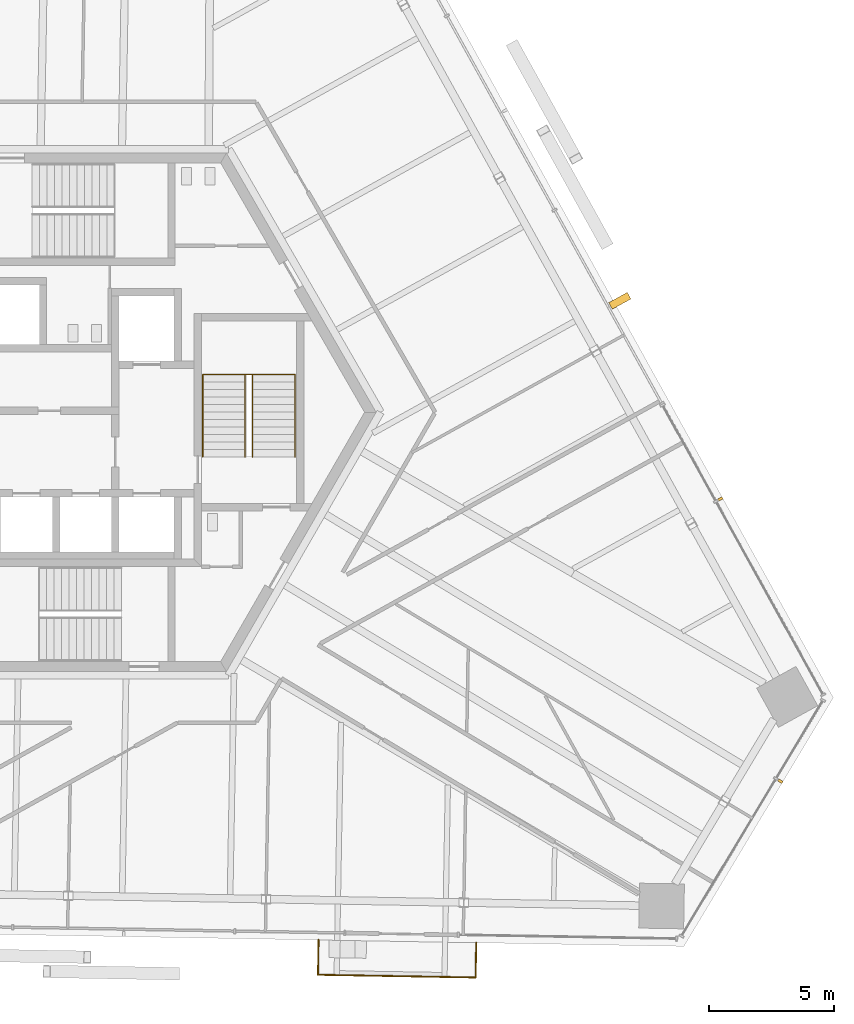
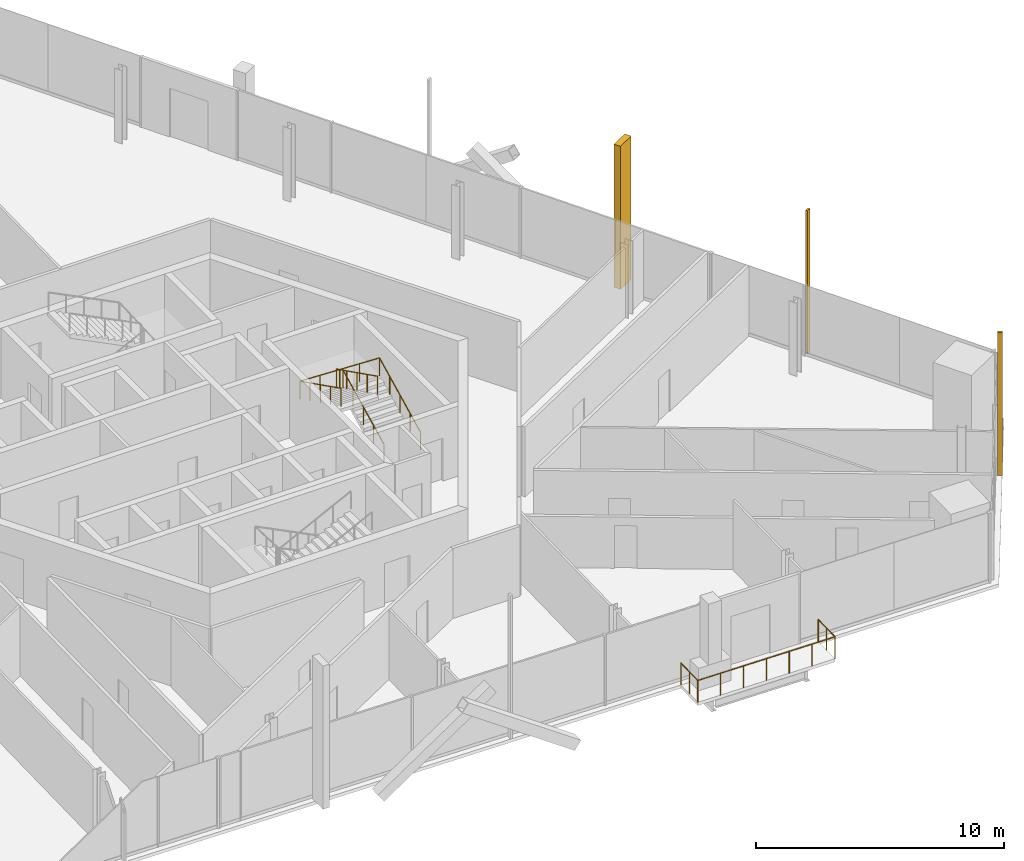
# One storey, part 16 of 20: 3 railings, 3 shading devices.
"""IFC4 building model written with IfcOpenShell, lengths in metres."""

from ifc_helpers import new_model, si_unit, direction, frame, origin, origin_2d, place, context, subcontext, project, spatial, rectangle, circle, extrude, source, transform, mapped, material, type_object, element, save


model = new_model("IFC4")

# Units and contexts
model_context = context("Model", 3, precision=1e-05, world=origin(), true_north=direction((0.0, 1.0)))
body_context = subcontext(model_context, "Body", "Model", "MODEL_VIEW")
ifc_project = project(units=[si_unit("LENGTHUNIT", "METRE"), si_unit("AREAUNIT", "SQUARE_METRE"), si_unit("VOLUMEUNIT", "CUBIC_METRE"), si_unit("PLANEANGLEUNIT", "RADIAN"), si_unit("MASSUNIT", "GRAM", prefix="KILO")], contexts=[model_context])

# Site, building, storey
site_placement = place(None, origin())
site = spatial("IfcSite", under=ifc_project, at=site_placement, CompositionType="ELEMENT")
building_placement = place(site_placement, origin())
building = spatial("IfcBuilding", under=site, at=building_placement, Name="Triune Harvest Tower", CompositionType="ELEMENT")
storey_placement = place(building_placement, frame((0.0, 0.0, 194.300048828125)))
storey = spatial("IfcBuildingStorey", under=building, at=storey_placement, Name="L50", CompositionType="ELEMENT", Elevation=194.300048828125)

# Railings
ifc_material_1 = material(Name="Stainless steel AISI 316", Category="steel")
railing_type_1 = type_object("IfcRailingType", Name="Stair handrail", PredefinedType="HANDRAIL", material=ifc_material_1)
shared_shape_1 = source(origin(), body_context, "Body", "SweptSolid", [
    extrude(circle(Radius=0.02392578125, at=origin_2d()), frame((0.0, 0.0, 0.8759765625), z_axis=(0.0, 0.894413956696, 0.447240063129), x_axis=(-1.0, 0.0, 0.0)), (0.0, 0.0, 1.0), 3.689697265625),
    extrude(circle(Radius=0.02392578125, at=origin_2d()), frame((0.0, 3.300048828125, 2.52587890625), z_axis=(-0.999180289278, 0.0, 0.040481471304), x_axis=(0.0, -1.0, 0.0)), (0.0, 0.0, 1.0), 3.702880859375),
    extrude(circle(Radius=0.02392578125, at=origin_2d()), frame((-3.699951171875, 3.300048828125, 2.67578125), z_axis=(0.0, -0.894440424912, 0.447187126696), x_axis=(1.0, 0.0, 0.0)), (0.0, 0.0, 1.0), 3.689453125),
    extrude(circle(Radius=0.02099609375, at=origin_2d()), origin(), (0.0, 0.0, 1.0), 0.851806640625),
    extrude(circle(Radius=0.02099609375, at=origin_2d()), frame((0.0, 0.824951171875, 0.41259765625)), (0.0, 0.0, 1.0), 0.851806640625),
    extrude(circle(Radius=0.02099609375, at=origin_2d()), frame((0.0, 1.64990234375, 0.8251953125)), (0.0, 0.0, 1.0), 0.851806640625),
    extrude(circle(Radius=0.02099609375, at=origin_2d()), frame((0.0, 2.47509765625, 1.237548828125)), (0.0, 0.0, 1.0), 0.851806640625),
    extrude(circle(Radius=0.02099609375, at=origin_2d()), frame((0.0, 3.300048828125, 1.650146484375)), (0.0, 0.0, 1.0), 0.851806640625),
    extrude(circle(Radius=0.02099609375, at=origin_2d()), frame((-0.925048828125, 3.300048828125, 1.6875)), (0.0, 0.0, 1.0), 0.851806640625),
    extrude(circle(Radius=0.02099609375, at=origin_2d()), frame((-1.85009765625, 3.300048828125, 1.72509765625)), (0.0, 0.0, 1.0), 0.851806640625),
    extrude(circle(Radius=0.02099609375, at=origin_2d()), frame((-2.77490234375, 3.300048828125, 1.7626953125)), (0.0, 0.0, 1.0), 0.851806640625),
    extrude(circle(Radius=0.02099609375, at=origin_2d()), frame((-3.699951171875, 3.300048828125, 1.800048828125)), (0.0, 0.0, 1.0), 0.851806640625),
    extrude(circle(Radius=0.02099609375, at=origin_2d()), frame((-3.699951171875, 2.47509765625, 2.21240234375)), (0.0, 0.0, 1.0), 0.851806640625),
    extrude(circle(Radius=0.02099609375, at=origin_2d()), frame((-3.699951171875, 1.64990234375, 2.625)), (0.0, 0.0, 1.0), 0.851806640625),
    extrude(circle(Radius=0.02099609375, at=origin_2d()), frame((-3.699951171875, 0.824951171875, 3.03759765625)), (0.0, 0.0, 1.0), 0.851806640625),
    extrude(circle(Radius=0.02099609375, at=origin_2d()), frame((-3.699951171875, 0.0, 3.449951171875)), (0.0, 0.0, 1.0), 0.851806640625),
])
railing_1_placement = place(storey_placement, frame((8.75, -1.7900390625, 0.14990234375)))
element("IfcRailing", 1, at=railing_1_placement, inside=storey, type_object=railing_type_1, Name="Exit stair east wall handrail", PredefinedType="HANDRAIL", context=body_context, shape_type="MappedRepresentation", body=[
    mapped(shared_shape_1, transform((0.0, 0.0, 0.0), scale=1.0)),
])
shared_shape_2 = source(origin(), body_context, "Body", "SweptSolid", [
    extrude(circle(Radius=0.02392578125, at=origin_2d()), frame((0.0, 0.0, 0.8759765625), z_axis=(0.0, 0.894413956696, 0.447240063129), x_axis=(-1.0, 0.0, 0.0)), (0.0, 0.0, 1.0), 3.689697265625),
    extrude(circle(Radius=0.02392578125, at=origin_2d()), frame((0.0, 3.300048828125, 2.52587890625), z_axis=(-0.894572720946, 0.0, 0.446922417137), x_axis=(0.0, -1.0, 0.0)), (0.0, 0.0, 1.0), 0.33544921875),
    extrude(circle(Radius=0.02392578125, at=origin_2d()), frame((-0.300048828125, 3.300048828125, 2.67578125), z_axis=(0.0, -0.894440424912, 0.447187126696), x_axis=(1.0, 0.0, 0.0)), (0.0, 0.0, 1.0), 3.689453125),
    extrude(circle(Radius=0.02099609375, at=origin_2d()), origin(), (0.0, 0.0, 1.0), 0.851806640625),
    extrude(circle(Radius=0.02099609375, at=origin_2d()), frame((0.0, 0.824951171875, 0.41259765625)), (0.0, 0.0, 1.0), 0.851806640625),
    extrude(circle(Radius=0.02099609375, at=origin_2d()), frame((0.0, 1.64990234375, 0.8251953125)), (0.0, 0.0, 1.0), 0.851806640625),
    extrude(circle(Radius=0.02099609375, at=origin_2d()), frame((0.0, 2.47509765625, 1.237548828125)), (0.0, 0.0, 1.0), 0.851806640625),
    extrude(circle(Radius=0.02099609375, at=origin_2d()), frame((0.0, 3.300048828125, 1.650146484375)), (0.0, 0.0, 1.0), 0.851806640625),
    extrude(circle(Radius=0.02099609375, at=origin_2d()), frame((-0.300048828125, 3.300048828125, 1.800048828125)), (0.0, 0.0, 1.0), 0.851806640625),
    extrude(circle(Radius=0.02099609375, at=origin_2d()), frame((-0.300048828125, 2.47509765625, 2.21240234375)), (0.0, 0.0, 1.0), 0.851806640625),
    extrude(circle(Radius=0.02099609375, at=origin_2d()), frame((-0.300048828125, 1.64990234375, 2.625)), (0.0, 0.0, 1.0), 0.851806640625),
    extrude(circle(Radius=0.02099609375, at=origin_2d()), frame((-0.300048828125, 0.824951171875, 3.03759765625)), (0.0, 0.0, 1.0), 0.851806640625),
    extrude(circle(Radius=0.02099609375, at=origin_2d()), frame((-0.300048828125, 0.0, 3.449951171875)), (0.0, 0.0, 1.0), 0.851806640625),
])
railing_2_placement = place(storey_placement, frame((7.050048828125, -1.7900390625, 0.14990234375)))
element("IfcRailing", 2, at=railing_2_placement, inside=storey, type_object=railing_type_1, Name="Exit stair east centre handrail", PredefinedType="HANDRAIL", context=body_context, shape_type="MappedRepresentation", body=[
    mapped(shared_shape_2, transform((0.0, 0.0, 0.0), scale=1.0)),
])

# Shading devices
ifc_material_2 = material(Name="Aluminium bronze anodised", Category="aluminium")
shared_shape_3 = source(origin(), body_context, "Body", "SweptSolid", [
    extrude(rectangle(XDim=0.10009765625, YDim=0.199951171875, at=origin_2d()), origin(), (0.0, 0.0, 1.0), 7.0400390625),
])
for number, where, z_axis, x_axis, name in (
    (3, (25.795654296875, -3.474365234375, 0.0), (0.0, 0.0, 1.0), (-0.48480848305, 0.874620337497, 0.0), "FN-1 fin B5-F1.3 L50"),
    (4, (28.197998046875, -14.784912109375, 0.0), (0.0, 0.0, 1.0), (0.515036685882, 0.857168135313, 0.0), "FN-1 fin B5-F6.3 L50"),
):
    element("IfcShadingDevice", number, at=place(storey_placement, frame(where, z_axis=z_axis, x_axis=x_axis)), inside=storey, material=ifc_material_2, Name=name, ObjectType="FIN", PredefinedType="USERDEFINED", context=body_context, shape_type="MappedRepresentation", body=[
        mapped(shared_shape_3, transform((0.0, 0.0, 0.0), scale=1.0)),
    ])
shared_shape_4 = source(origin(), body_context, "Body", "SweptSolid", [
    extrude(rectangle(XDim=0.300048828125, YDim=0.85009765625, at=origin_2d()), origin(), (0.0, 0.0, 1.0), 7.0400390625),
])
shading_device_placement = place(storey_placement, frame((21.765625, 4.46630859375, 0.0), z_axis=(0.0, 0.0, 1.0), x_axis=(-0.48480848305, 0.874620337497, 0.0)))
element("IfcShadingDevice", 5, at=shading_device_placement, inside=storey, material=ifc_material_2, Name="FN-2 fin B5-F1.5 L50", ObjectType="FIN", PredefinedType="USERDEFINED", context=body_context, shape_type="MappedRepresentation", body=[
    mapped(shared_shape_4, transform((0.0, 0.0, 0.0), scale=1.0)),
])

# Railing
ifc_material_3 = material(Name="Glass", Category="glass")
railing_type_2 = type_object("IfcRailingType", Name="GD-2 balcony guard 1100", PredefinedType="GUARDRAIL", material=ifc_material_3)
shared_shape_5 = source(origin(), body_context, "Body", "SweptSolid", [
    extrude(circle(Radius=0.02392578125, at=origin_2d()), frame((0.0, 0.0, 1.076171875), z_axis=(-0.017338433724, -0.99984967806, 0.0), x_axis=(0.99984967806, -0.017338433724, 0.0)), (0.0, 0.0, 1.0), 1.39404296875),
    extrude(circle(Radius=0.02392578125, at=origin_2d()), frame((-0.024169921875, -1.393798828125, 1.076171875), z_axis=(0.999848320594, -0.017416538279, 0.0), x_axis=(0.017416538279, 0.999848320594, 0.0)), (0.0, 0.0, 1.0), 6.322021484375),
    extrude(circle(Radius=0.02392578125, at=origin_2d()), frame((6.296875, -1.50390625, 1.076171875), z_axis=(0.017341470377, 0.999849625396, 0.0), x_axis=(-0.999849625396, 0.017341470377, 0.0)), (0.0, 0.0, 1.0), 1.393798828125),
    extrude(circle(Radius=0.02099609375, at=origin_2d()), origin(), (0.0, 0.0, 1.0), 1.052001953125),
    extrude(circle(Radius=0.02099609375, at=origin_2d()), frame((-0.01220703125, -0.69677734375, 0.0)), (0.0, 0.0, 1.0), 1.052001953125),
    extrude(circle(Radius=0.02099609375, at=origin_2d()), frame((-0.024169921875, -1.393798828125, 0.0)), (0.0, 0.0, 1.0), 1.052001953125),
    extrude(circle(Radius=0.02099609375, at=origin_2d()), frame((1.029296875, -1.412109375, 0.0)), (0.0, 0.0, 1.0), 1.052001953125),
    extrude(circle(Radius=0.02099609375, at=origin_2d()), frame((2.082763671875, -1.430419921875, 0.0)), (0.0, 0.0, 1.0), 1.052001953125),
    extrude(circle(Radius=0.02099609375, at=origin_2d()), frame((3.13623046875, -1.44873046875, 0.0)), (0.0, 0.0, 1.0), 1.052001953125),
    extrude(circle(Radius=0.02099609375, at=origin_2d()), frame((4.18994140625, -1.46728515625, 0.0)), (0.0, 0.0, 1.0), 1.052001953125),
    extrude(circle(Radius=0.02099609375, at=origin_2d()), frame((5.243408203125, -1.485595703125, 0.0)), (0.0, 0.0, 1.0), 1.052001953125),
    extrude(circle(Radius=0.02099609375, at=origin_2d()), frame((6.296875, -1.50390625, 0.0)), (0.0, 0.0, 1.0), 1.052001953125),
    extrude(circle(Radius=0.02099609375, at=origin_2d()), frame((6.30908203125, -0.80712890625, 0.0)), (0.0, 0.0, 1.0), 1.052001953125),
    extrude(circle(Radius=0.02099609375, at=origin_2d()), frame((6.321044921875, -0.1103515625, 0.0)), (0.0, 0.0, 1.0), 1.052001953125),
])
railing_3_placement = place(storey_placement, frame((9.692138671875, -21.1494140625, 0.0)))
element("IfcRailing", 6, at=railing_3_placement, inside=storey, type_object=railing_type_2, Name="Balcony guard B5-F5 L50.9", PredefinedType="GUARDRAIL", context=body_context, shape_type="MappedRepresentation", body=[
    mapped(shared_shape_5, transform((0.0, 0.0, 0.0), scale=1.0)),
])

save(model, "model.ifc")
